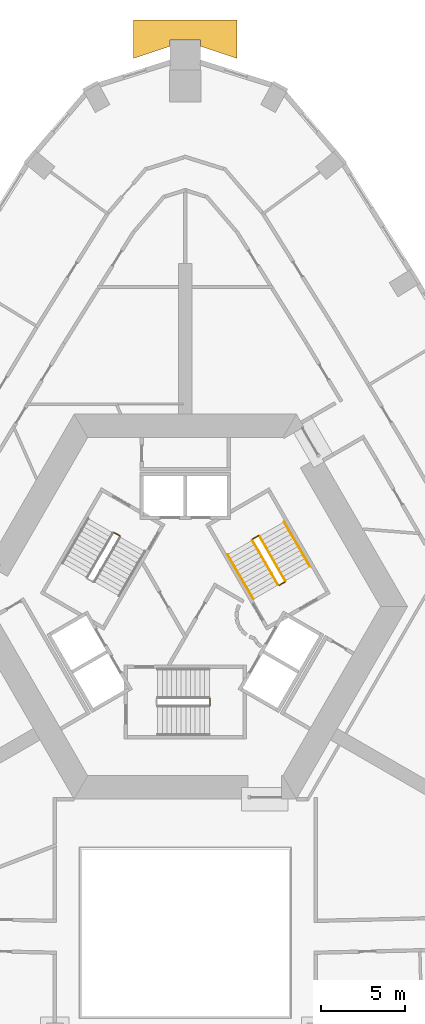
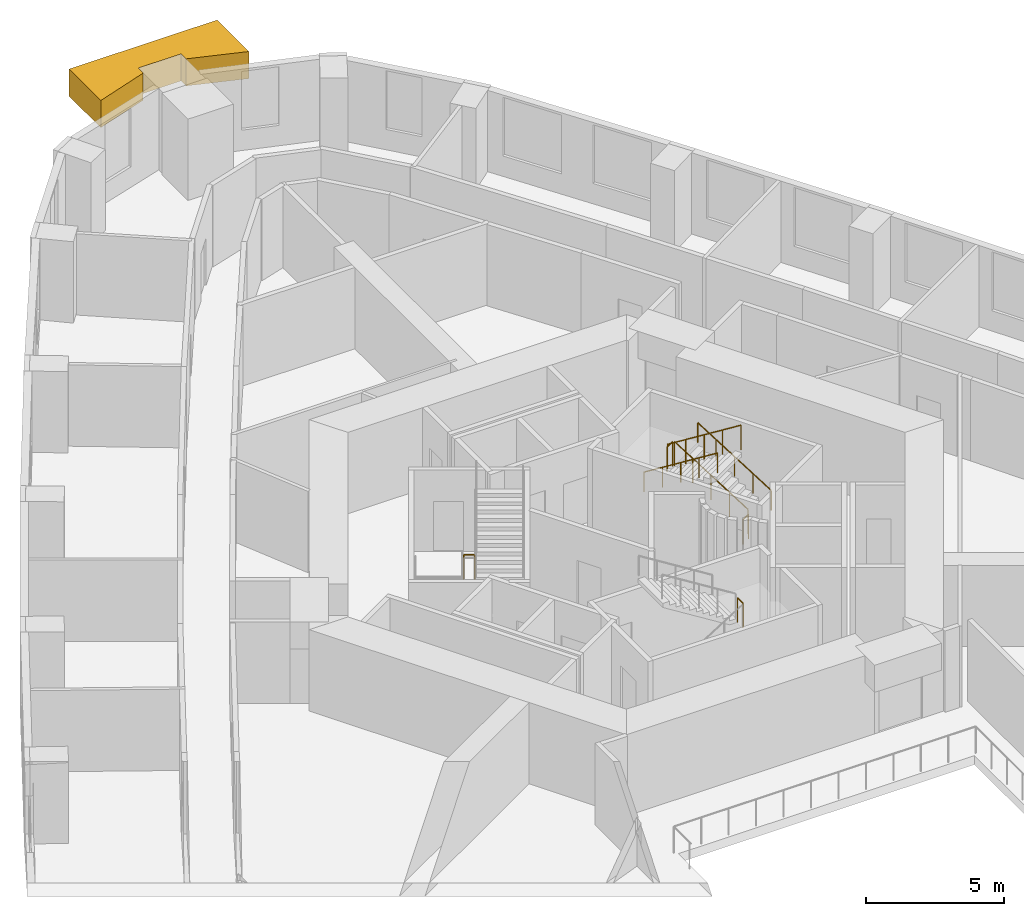
# One storey, part 13 of 13: 8 railings, 1 covering.
"""IFC4 building model written with IfcOpenShell, lengths in metres."""

from ifc_helpers import new_model, si_unit, direction, frame, origin, origin_2d, place, context, subcontext, project, spatial, polyline, circle, outline, extrude, material, type_object, element, save


model = new_model("IFC4")

# Units and contexts
model_context = context("Model", 3, precision=1e-05, world=origin(), true_north=direction((0.0, 1.0)))
body_context = subcontext(model_context, "Body", "Model", "MODEL_VIEW")
ifc_project = project(units=[si_unit("LENGTHUNIT", "METRE"), si_unit("AREAUNIT", "SQUARE_METRE"), si_unit("VOLUMEUNIT", "CUBIC_METRE"), si_unit("PLANEANGLEUNIT", "RADIAN"), si_unit("MASSUNIT", "GRAM", prefix="KILO")], contexts=[model_context])

# Site, building, storey
site_placement = place(None, origin())
site = spatial("IfcSite", under=ifc_project, at=site_placement, CompositionType="ELEMENT")
building_placement = place(site_placement, origin())
building = spatial("IfcBuilding", under=site, at=building_placement, Name="Entoto Arch Interchange Tower", CompositionType="ELEMENT")
storey_placement = place(building_placement, frame((0.0, 0.0, 231.800048828125)))
storey = spatial("IfcBuildingStorey", under=building, at=storey_placement, Name="L52", CompositionType="ELEMENT", Elevation=231.800048828125)

# Covering
ifc_material_1 = material(Name="Board-marked precast concrete C50/60", Category="concrete")
covering_type = type_object("IfcCoveringType", Name="PRECAST FRAME COURSE", PredefinedType="CLADDING", material=ifc_material_1)
covering_placement = place(storey_placement, frame((0.0, 0.0, 2.39990234375)))
element("IfcCovering", 1, at=covering_placement, inside=storey, type_object=covering_type, Name="Corner pilaster head N L51-L52", PredefinedType="CLADDING", context=body_context, shape_type="SweptSolid", body=[
    extrude(outline(polyline([(-3.10009765625, 37.548095703125), (3.10009765625, 37.548095703125), (3.10009765625, 35.248046875), (0.89990234375, 35.98291015625), (0.89990234375, 36.347900390625), (-0.89990234375, 36.347900390625), (-0.89990234375, 35.98291015625), (-3.10009765625, 35.248046875), (-3.10009765625, 37.548095703125)])), origin(), (0.0, 0.0, 1.0), 1.199951171875),
])

# Railings
ifc_material_2 = material(Name="Stainless steel 1.4301", Category="steel")
railing_type_1 = type_object("IfcRailingType", Name="STAIR GUARD 1100 STEEL", PredefinedType="GUARDRAIL", material=ifc_material_2)
railing_1_placement = place(storey_placement, frame((1.47998046875, -3.39990234375, 2.099853515625)))
element("IfcRailing", 2, at=railing_1_placement, inside=storey, type_object=railing_type_1, Name="L52 ST-S stair guard 2", PredefinedType="GUARDRAIL", context=body_context, shape_type="SweptSolid", body=[
    extrude(circle(Radius=0.02392578125, at=origin_2d()), frame((0.0, 0.0, 1.076171875), z_axis=(0.0, 1.0, 0.0), x_axis=(-1.0, 0.0, 0.0)), (0.0, 0.0, 1.0), 0.39990234375),
    extrude(circle(Radius=0.02099609375, at=origin_2d()), origin(), (0.0, 0.0, 1.0), 1.052001953125),
    extrude(circle(Radius=0.02099609375, at=origin_2d()), frame((0.0, 0.39990234375, 0.0)), (0.0, 0.0, 1.0), 1.052001953125),
])
railing_2_placement = place(storey_placement, frame((5.977783203125, 4.046142578125, 0.175048828125)))
element("IfcRailing", 3, at=railing_2_placement, inside=storey, type_object=railing_type_1, Name="L52 ST-NE stair guard 1", PredefinedType="GUARDRAIL", context=body_context, shape_type="SweptSolid", body=[
    extrude(circle(Radius=0.02392578125, at=origin_2d()), frame((0.0, 0.0, 1.076171875), z_axis=(-0.42403051051, 0.734390191396, 0.529970917068), x_axis=(-0.866010015463, -0.500026652407, 0.0)), (0.0, 0.0, 1.0), 3.6318359375),
    extrude(circle(Radius=0.02099609375, at=origin_2d()), origin(), (0.0, 0.0, 1.0), 1.052001953125),
    extrude(circle(Radius=0.02099609375, at=origin_2d()), frame((-0.385009765625, 0.666748046875, 0.481201171875)), (0.0, 0.0, 1.0), 1.052001953125),
    extrude(circle(Radius=0.02099609375, at=origin_2d()), frame((-0.77001953125, 1.33349609375, 0.96240234375)), (0.0, 0.0, 1.0), 1.052001953125),
    extrude(circle(Radius=0.02099609375, at=origin_2d()), frame((-1.155029296875, 2.00048828125, 1.443603515625)), (0.0, 0.0, 1.0), 1.052001953125),
    extrude(circle(Radius=0.02099609375, at=origin_2d()), frame((-1.5400390625, 2.667236328125, 1.9248046875)), (0.0, 0.0, 1.0), 1.052001953125),
])
railing_3_placement = place(storey_placement, frame((4.36962890625, 6.731689453125, 2.099853515625)))
element("IfcRailing", 4, at=railing_3_placement, inside=storey, type_object=railing_type_1, Name="L52 ST-NE stair guard 2", PredefinedType="GUARDRAIL", context=body_context, shape_type="SweptSolid", body=[
    extrude(circle(Radius=0.02392578125, at=origin_2d()), frame((0.0, 0.0, 1.076171875), z_axis=(-0.866094119867, -0.499880961361, 0.0), x_axis=(0.499880961361, -0.866094119867, 0.0)), (0.0, 0.0, 1.0), 0.39990234375),
    extrude(circle(Radius=0.02099609375, at=origin_2d()), origin(), (0.0, 0.0, 1.0), 1.052001953125),
    extrude(circle(Radius=0.02099609375, at=origin_2d()), frame((-0.346435546875, -0.199951171875, 0.0)), (0.0, 0.0, 1.0), 1.052001953125),
])
railing_4_placement = place(storey_placement, frame((4.0048828125, 6.46337890625, 2.27490234375)))
element("IfcRailing", 5, at=railing_4_placement, inside=storey, type_object=railing_type_1, Name="L52 ST-NE stair guard 3", PredefinedType="GUARDRAIL", context=body_context, shape_type="SweptSolid", body=[
    extrude(circle(Radius=0.02392578125, at=origin_2d()), frame((0.0, 0.0, 1.076171875), z_axis=(0.424015404183, -0.734364028329, 0.530019255228), x_axis=(0.866010015463, 0.500026652407, 0.0)), (0.0, 0.0, 1.0), 3.632080078125),
    extrude(circle(Radius=0.02099609375, at=origin_2d()), origin(), (0.0, 0.0, 1.0), 1.052001953125),
    extrude(circle(Radius=0.02099609375, at=origin_2d()), frame((0.385009765625, -0.666748046875, 0.481201171875)), (0.0, 0.0, 1.0), 1.052001953125),
    extrude(circle(Radius=0.02099609375, at=origin_2d()), frame((0.77001953125, -1.33349609375, 0.96240234375)), (0.0, 0.0, 1.0), 1.052001953125),
    extrude(circle(Radius=0.02099609375, at=origin_2d()), frame((1.155029296875, -2.00048828125, 1.44384765625)), (0.0, 0.0, 1.0), 1.052001953125),
    extrude(circle(Radius=0.02099609375, at=origin_2d()), frame((1.5400390625, -2.667236328125, 1.925048828125)), (0.0, 0.0, 1.0), 1.052001953125),
])
railing_5_placement = place(storey_placement, frame((5.95947265625, 3.977783203125, 0.0)))
element("IfcRailing", 6, at=railing_5_placement, inside=storey, type_object=railing_type_1, Name="L52 ST-NE stair guard 4", PredefinedType="GUARDRAIL", context=body_context, shape_type="SweptSolid", body=[
    extrude(circle(Radius=0.02392578125, at=origin_2d()), frame((0.0, 0.0, 1.076171875), z_axis=(-0.866094119867, -0.499880961361, 0.0), x_axis=(0.499880961361, -0.866094119867, 0.0)), (0.0, 0.0, 1.0), 0.39990234375),
    extrude(circle(Radius=0.02099609375, at=origin_2d()), origin(), (0.0, 0.0, 1.0), 1.052001953125),
    extrude(circle(Radius=0.02099609375, at=origin_2d()), frame((-0.346435546875, -0.199951171875, 0.0)), (0.0, 0.0, 1.0), 1.052001953125),
])
railing_6_placement = place(storey_placement, frame((-4.259521484375, 6.92236328125, 0.0)))
element("IfcRailing", 7, at=railing_6_placement, inside=storey, type_object=railing_type_1, Name="L52 ST-NW stair guard 4", PredefinedType="GUARDRAIL", context=body_context, shape_type="SweptSolid", body=[
    extrude(circle(Radius=0.02392578125, at=origin_2d()), frame((0.0, 0.0, 1.076171875), z_axis=(0.865829829939, -0.500338590944, 0.0), x_axis=(0.500338590944, 0.865829829939, 0.0)), (0.0, 0.0, 1.0), 0.400146484375),
    extrude(circle(Radius=0.02099609375, at=origin_2d()), origin(), (0.0, 0.0, 1.0), 1.052001953125),
    extrude(circle(Radius=0.02099609375, at=origin_2d()), frame((0.346435546875, -0.2001953125, 0.0)), (0.0, 0.0, 1.0), 1.052001953125),
])
railing_type_2 = type_object("IfcRailingType", Name="STAIR HANDRAIL 900 STEEL", PredefinedType="HANDRAIL", material=ifc_material_2)
railing_7_placement = place(storey_placement, frame((7.4501953125, 4.89599609375, 0.175048828125)))
element("IfcRailing", 8, at=railing_7_placement, inside=storey, type_object=railing_type_2, Name="L52 ST-NE stair handrail 1", PredefinedType="HANDRAIL", context=body_context, shape_type="SweptSolid", body=[
    extrude(circle(Radius=0.02392578125, at=origin_2d()), frame((0.0, 0.0, 0.8759765625), z_axis=(-0.424009578203, 0.734421155904, 0.529944755001), x_axis=(-0.866029832698, -0.499992328818, 0.0)), (0.0, 0.0, 1.0), 3.632080078125),
    extrude(circle(Radius=0.02099609375, at=origin_2d()), origin(), (0.0, 0.0, 1.0), 0.851806640625),
    extrude(circle(Radius=0.02099609375, at=origin_2d()), frame((-0.385009765625, 0.6669921875, 0.481201171875)), (0.0, 0.0, 1.0), 0.851806640625),
    extrude(circle(Radius=0.02099609375, at=origin_2d()), frame((-0.77001953125, 1.333740234375, 0.96240234375)), (0.0, 0.0, 1.0), 0.851806640625),
    extrude(circle(Radius=0.02099609375, at=origin_2d()), frame((-1.155029296875, 2.00048828125, 1.443603515625)), (0.0, 0.0, 1.0), 0.851806640625),
    extrude(circle(Radius=0.02099609375, at=origin_2d()), frame((-1.5400390625, 2.66748046875, 1.9248046875)), (0.0, 0.0, 1.0), 0.851806640625),
])
railing_8_placement = place(storey_placement, frame((2.53271484375, 5.613525390625, 2.27490234375)))
element("IfcRailing", 9, at=railing_8_placement, inside=storey, type_object=railing_type_2, Name="L52 ST-NE stair handrail 2", PredefinedType="HANDRAIL", context=body_context, shape_type="SweptSolid", body=[
    extrude(circle(Radius=0.02392578125, at=origin_2d()), frame((0.0, 0.0, 0.8759765625), z_axis=(0.423939339791, -0.734415923031, 0.53000819633), x_axis=(0.866064153644, 0.499932877268, 0.0)), (0.0, 0.0, 1.0), 3.632080078125),
    extrude(circle(Radius=0.02099609375, at=origin_2d()), origin(), (0.0, 0.0, 1.0), 0.851806640625),
    extrude(circle(Radius=0.02099609375, at=origin_2d()), frame((0.385009765625, -0.6669921875, 0.481201171875)), (0.0, 0.0, 1.0), 0.851806640625),
    extrude(circle(Radius=0.02099609375, at=origin_2d()), frame((0.77001953125, -1.333740234375, 0.96240234375)), (0.0, 0.0, 1.0), 0.851806640625),
    extrude(circle(Radius=0.02099609375, at=origin_2d()), frame((1.15478515625, -2.00048828125, 1.44384765625)), (0.0, 0.0, 1.0), 0.851806640625),
    extrude(circle(Radius=0.02099609375, at=origin_2d()), frame((1.539794921875, -2.66748046875, 1.925048828125)), (0.0, 0.0, 1.0), 0.851806640625),
])

save(model, "model.ifc")
